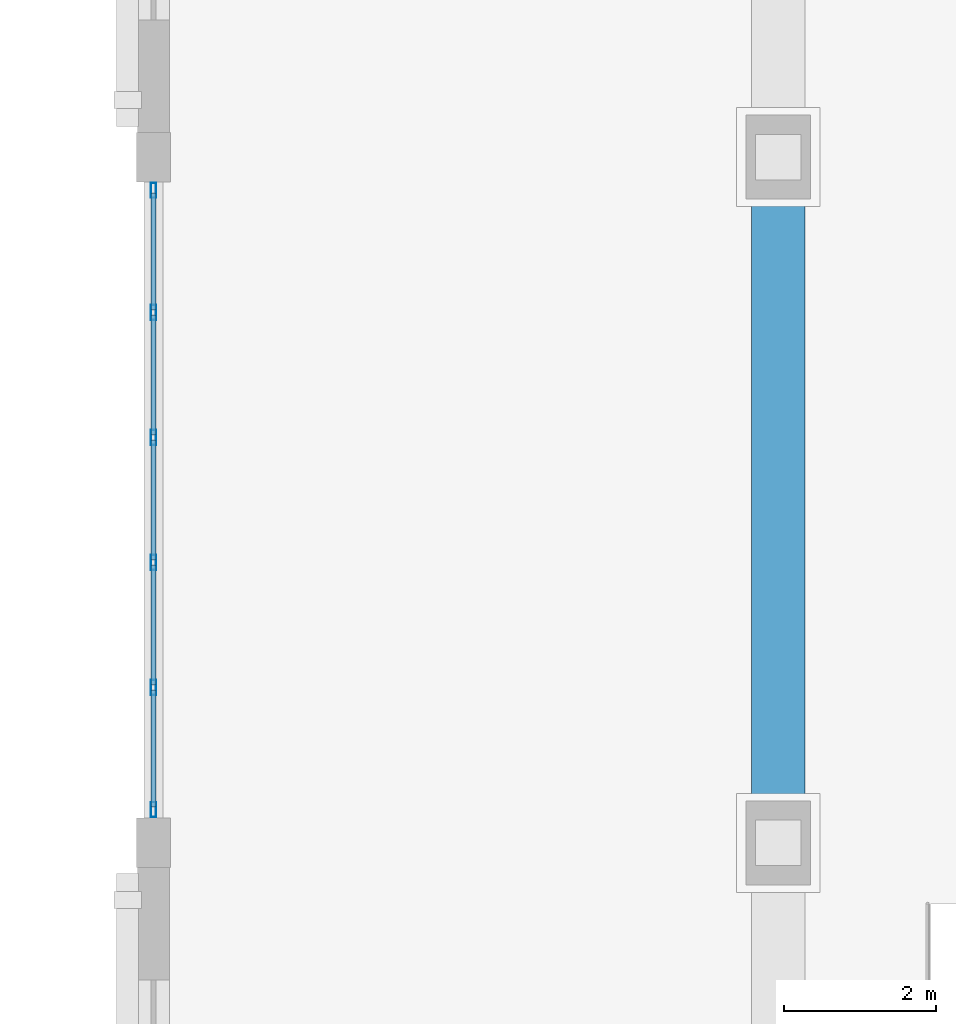
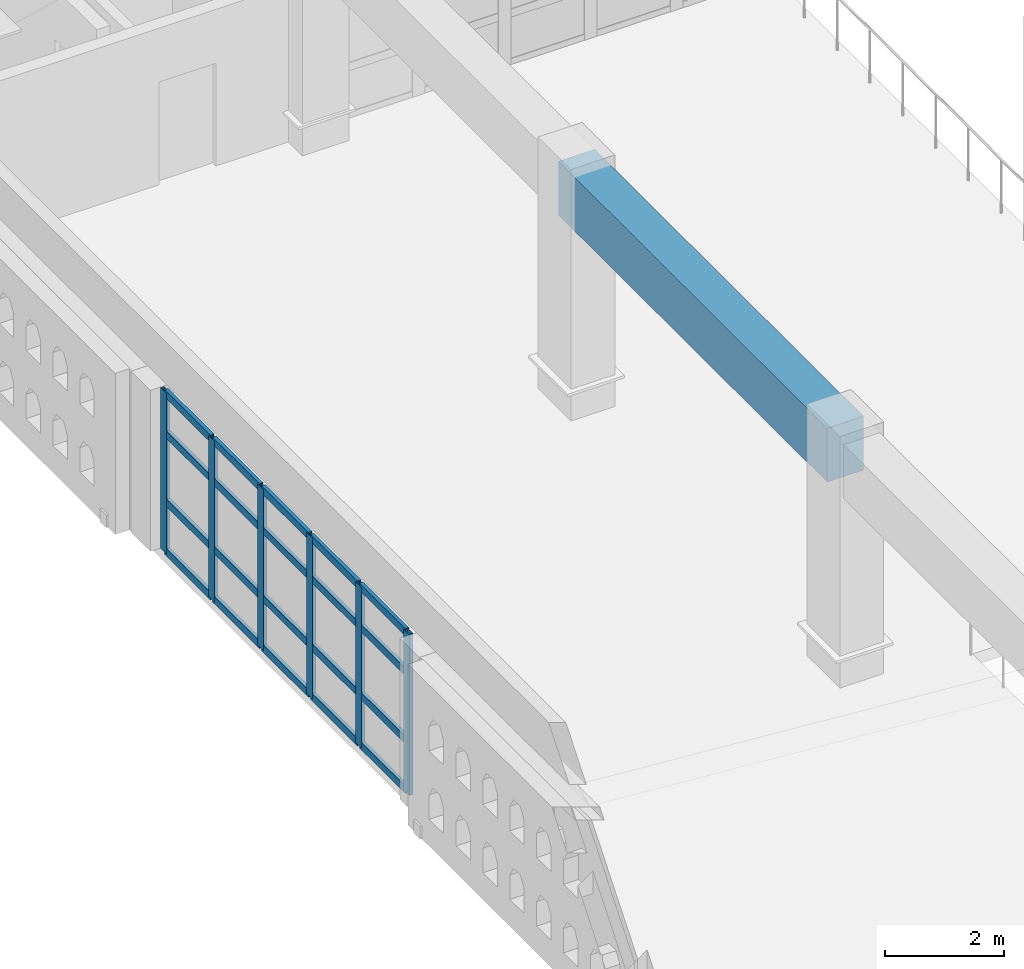
# One storey, part 25 of 80: 26 members, 1 beam, 1 element without a shape of its own.
"""IFC4 building model written with IfcOpenShell, lengths in metres."""

from ifc_helpers import new_model, si_unit, direction, frame, origin, origin_2d, place, context, subcontext, project, spatial, rectangle, hollow_rectangle, extrude, material, layer, layer_set, material_profile, profile_set, type_object, element, aggregate, save


model = new_model("IFC4")

# Units and contexts
model_context = context("Model", 3, precision=1e-05, world=origin(), true_north=direction((0.0, 1.0)))
body_context = subcontext(model_context, "Body", "Model", "MODEL_VIEW")
ifc_project = project(units=[si_unit("LENGTHUNIT", "METRE"), si_unit("AREAUNIT", "SQUARE_METRE"), si_unit("VOLUMEUNIT", "CUBIC_METRE"), si_unit("PLANEANGLEUNIT", "RADIAN"), si_unit("MASSUNIT", "GRAM", prefix="KILO")], contexts=[model_context])

# Site, building, storey
site_placement = place(None, origin())
site = spatial("IfcSite", under=ifc_project, at=site_placement, CompositionType="ELEMENT")
building_placement = place(site_placement, origin())
building = spatial("IfcBuilding", under=site, at=building_placement, Name="Ornek Quay Market", CompositionType="ELEMENT")
storey_placement = place(building_placement, frame((0.0, 0.0, 8.39990234375)))
storey = spatial("IfcBuildingStorey", under=building, at=storey_placement, Name="L02", CompositionType="ELEMENT", Elevation=8.39990234375)

# Beam
ifc_material_1 = material(Name="Concrete C45/55", Category="concrete")
ifc_material_profile_1 = material_profile(ifc_material_1, rectangle(XDim=0.699951171875, YDim=1.10009765625, at=origin_2d()), Name="RC 700x1100", Category="concrete")
ifc_profile_set_1 = profile_set([ifc_material_profile_1], Name="Concrete C45/55")
beam_type = type_object("IfcBeamType", Name="BM-ARCH-TIE-700x1100", PredefinedType="BEAM", material=ifc_profile_set_1)
beam_placement = place(storey_placement, frame((63.0, 74.0, 4.400146484375), z_axis=(0.0, 1.0, 0.0), x_axis=(-1.0, 0.0, 0.0)))
element("IfcBeam", 1, at=beam_placement, inside=storey, type_object=beam_type, Name="Arch springing edge tie beam J-W", PredefinedType="BEAM", context=body_context, shape_type="SweptSolid", body=[
    extrude(rectangle(XDim=0.699951171875, YDim=1.10009765625, at=origin_2d()), origin(), (0.0, 0.0, 1.0), 9.0),
])

# Curtain wall, members
ifc_material_2 = material(Name="Anodised bronze aluminium and triple low-e glass", Category="aluminium")
ifc_layer = layer(ifc_material_2, 0.239990234375, Name="Anodised bronze aluminium and triple low-e glass", Category="aluminium")
ifc_layer_set = layer_set([ifc_layer], Name="Anodised bronze aluminium and triple low-e glass")
curtain_wall_type = type_object("IfcCurtainWallType", Name="CW-GAB-MOD1800", PredefinedType="USERDEFINED", material=ifc_layer_set)
curtain_wall_placement = place(storey_placement, origin())
curtain_wall = element("IfcCurtainWall", 2, at=curtain_wall_placement, inside=storey, type_object=curtain_wall_type, Name="Curtain wall CW-059", ObjectType="CURTAIN WALL", PredefinedType="USERDEFINED")
ifc_material_3 = material(Name="Anodised aluminium 6063-T6", Category="aluminium")
ifc_material_profile_2 = material_profile(ifc_material_3, hollow_rectangle(XDim=0.070068359375, YDim=0.199951171875, WallThickness=0.0048828125, at=origin_2d()), Name="CW-MUL-70x200", Category="aluminium")
ifc_profile_set_2 = profile_set([ifc_material_profile_2], Name="Anodised aluminium 6063-T6")
member_type_1 = type_object("IfcMemberType", Name="CW-MUL-70x200", PredefinedType="MULLION", material=ifc_profile_set_2)
member_1_placement = place(storey_placement, frame((54.800048828125, 74.43505859375, 0.0), z_axis=(0.0, 0.0, 1.0), x_axis=(-1.0, 0.0, 0.0)))
member_1 = element("IfcMember", 3, at=member_1_placement, type_object=member_type_1, Name="CW-059 mullion 1", PredefinedType="MULLION", context=body_context, shape_type="SweptSolid", body=[
    extrude(hollow_rectangle(XDim=0.070068359375, YDim=0.199951171875, WallThickness=0.0048828125, at=origin_2d()), origin(), (0.0, 0.0, 1.0), 3.2900390625),
])
member_2_placement = place(storey_placement, frame((54.800048828125, 76.0400390625, 0.0), z_axis=(0.0, 0.0, 1.0), x_axis=(-1.0, 0.0, 0.0)))
member_2 = element("IfcMember", 4, at=member_2_placement, type_object=member_type_1, Name="CW-059 mullion 2", PredefinedType="MULLION", context=body_context, shape_type="SweptSolid", body=[
    extrude(hollow_rectangle(XDim=0.070068359375, YDim=0.199951171875, WallThickness=0.0048828125, at=origin_2d()), origin(), (0.0, 0.0, 1.0), 3.2900390625),
])
member_3_placement = place(storey_placement, frame((54.800048828125, 77.679931640625, 0.0), z_axis=(0.0, 0.0, 1.0), x_axis=(-1.0, 0.0, 0.0)))
member_3 = element("IfcMember", 5, at=member_3_placement, type_object=member_type_1, Name="CW-059 mullion 3", PredefinedType="MULLION", context=body_context, shape_type="SweptSolid", body=[
    extrude(hollow_rectangle(XDim=0.070068359375, YDim=0.199951171875, WallThickness=0.0048828125, at=origin_2d()), origin(), (0.0, 0.0, 1.0), 3.2900390625),
])
member_4_placement = place(storey_placement, frame((54.800048828125, 79.320068359375, 0.0), z_axis=(0.0, 0.0, 1.0), x_axis=(-1.0, 0.0, 0.0)))
member_4 = element("IfcMember", 6, at=member_4_placement, type_object=member_type_1, Name="CW-059 mullion 4", PredefinedType="MULLION", context=body_context, shape_type="SweptSolid", body=[
    extrude(hollow_rectangle(XDim=0.070068359375, YDim=0.199951171875, WallThickness=0.0048828125, at=origin_2d()), origin(), (0.0, 0.0, 1.0), 3.2900390625),
])
member_5_placement = place(storey_placement, frame((54.800048828125, 80.9599609375, 0.0), z_axis=(0.0, 0.0, 1.0), x_axis=(-1.0, 0.0, 0.0)))
member_5 = element("IfcMember", 7, at=member_5_placement, type_object=member_type_1, Name="CW-059 mullion 5", PredefinedType="MULLION", context=body_context, shape_type="SweptSolid", body=[
    extrude(hollow_rectangle(XDim=0.070068359375, YDim=0.199951171875, WallThickness=0.0048828125, at=origin_2d()), origin(), (0.0, 0.0, 1.0), 3.2900390625),
])
member_6_placement = place(storey_placement, frame((54.800048828125, 82.56494140625, 0.0), z_axis=(0.0, 0.0, 1.0), x_axis=(-1.0, 0.0, 0.0)))
member_6 = element("IfcMember", 8, at=member_6_placement, type_object=member_type_1, Name="CW-059 mullion 6", PredefinedType="MULLION", context=body_context, shape_type="SweptSolid", body=[
    extrude(hollow_rectangle(XDim=0.070068359375, YDim=0.199951171875, WallThickness=0.0048828125, at=origin_2d()), origin(), (0.0, 0.0, 1.0), 3.2900390625),
])
ifc_material_profile_3 = material_profile(ifc_material_3, hollow_rectangle(XDim=0.070068359375, YDim=0.14990234375, WallThickness=0.0048828125, at=origin_2d()), Name="CW-TRN-70x150", Category="aluminium")
ifc_profile_set_3 = profile_set([ifc_material_profile_3], Name="Anodised aluminium 6063-T6")
member_type_2 = type_object("IfcMemberType", Name="CW-TRN-70x150", PredefinedType="USERDEFINED", material=ifc_profile_set_3)
member_7_placement = place(storey_placement, frame((54.800048828125, 74.469970703125, 0.03515625), z_axis=(0.0, 1.0, 0.0), x_axis=(-1.0, 0.0, 0.0)))
member_7 = element("IfcMember", 9, at=member_7_placement, type_object=member_type_2, Name="CW-059 transom 1.1", ObjectType="TRANSOM", PredefinedType="USERDEFINED", context=body_context, shape_type="SweptSolid", body=[
    extrude(hollow_rectangle(XDim=0.070068359375, YDim=0.14990234375, WallThickness=0.0048828125, at=origin_2d()), origin(), (0.0, 0.0, 1.0), 1.534912109375),
])
member_8_placement = place(storey_placement, frame((54.800048828125, 74.469970703125, 1.050048828125), z_axis=(0.0, 1.0, 0.0), x_axis=(-1.0, 0.0, 0.0)))
member_8 = element("IfcMember", 10, at=member_8_placement, type_object=member_type_2, Name="CW-059 transom 1.2", ObjectType="TRANSOM", PredefinedType="USERDEFINED", context=body_context, shape_type="SweptSolid", body=[
    extrude(hollow_rectangle(XDim=0.070068359375, YDim=0.14990234375, WallThickness=0.0048828125, at=origin_2d()), origin(), (0.0, 0.0, 1.0), 1.534912109375),
])
member_9_placement = place(storey_placement, frame((54.800048828125, 74.469970703125, 2.440185546875), z_axis=(0.0, 1.0, 0.0), x_axis=(-1.0, 0.0, 0.0)))
member_9 = element("IfcMember", 11, at=member_9_placement, type_object=member_type_2, Name="CW-059 transom 1.3", ObjectType="TRANSOM", PredefinedType="USERDEFINED", context=body_context, shape_type="SweptSolid", body=[
    extrude(hollow_rectangle(XDim=0.070068359375, YDim=0.14990234375, WallThickness=0.0048828125, at=origin_2d()), origin(), (0.0, 0.0, 1.0), 1.534912109375),
])
member_10_placement = place(storey_placement, frame((54.800048828125, 74.469970703125, 3.255126953125), z_axis=(0.0, 1.0, 0.0), x_axis=(-1.0, 0.0, 0.0)))
member_10 = element("IfcMember", 12, at=member_10_placement, type_object=member_type_2, Name="CW-059 transom 1.4", ObjectType="TRANSOM", PredefinedType="USERDEFINED", context=body_context, shape_type="SweptSolid", body=[
    extrude(hollow_rectangle(XDim=0.070068359375, YDim=0.14990234375, WallThickness=0.0048828125, at=origin_2d()), origin(), (0.0, 0.0, 1.0), 1.534912109375),
])
member_11_placement = place(storey_placement, frame((54.800048828125, 76.074951171875, 0.03515625), z_axis=(0.0, 1.0, 0.0), x_axis=(-1.0, 0.0, 0.0)))
member_11 = element("IfcMember", 13, at=member_11_placement, type_object=member_type_2, Name="CW-059 transom 2.1", ObjectType="TRANSOM", PredefinedType="USERDEFINED", context=body_context, shape_type="SweptSolid", body=[
    extrude(hollow_rectangle(XDim=0.070068359375, YDim=0.14990234375, WallThickness=0.0048828125, at=origin_2d()), origin(), (0.0, 0.0, 1.0), 1.570068359375),
])
member_12_placement = place(storey_placement, frame((54.800048828125, 76.074951171875, 1.050048828125), z_axis=(0.0, 1.0, 0.0), x_axis=(-1.0, 0.0, 0.0)))
member_12 = element("IfcMember", 14, at=member_12_placement, type_object=member_type_2, Name="CW-059 transom 2.2", ObjectType="TRANSOM", PredefinedType="USERDEFINED", context=body_context, shape_type="SweptSolid", body=[
    extrude(hollow_rectangle(XDim=0.070068359375, YDim=0.14990234375, WallThickness=0.0048828125, at=origin_2d()), origin(), (0.0, 0.0, 1.0), 1.570068359375),
])
member_13_placement = place(storey_placement, frame((54.800048828125, 76.074951171875, 2.440185546875), z_axis=(0.0, 1.0, 0.0), x_axis=(-1.0, 0.0, 0.0)))
member_13 = element("IfcMember", 15, at=member_13_placement, type_object=member_type_2, Name="CW-059 transom 2.3", ObjectType="TRANSOM", PredefinedType="USERDEFINED", context=body_context, shape_type="SweptSolid", body=[
    extrude(hollow_rectangle(XDim=0.070068359375, YDim=0.14990234375, WallThickness=0.0048828125, at=origin_2d()), origin(), (0.0, 0.0, 1.0), 1.570068359375),
])
member_14_placement = place(storey_placement, frame((54.800048828125, 76.074951171875, 3.255126953125), z_axis=(0.0, 1.0, 0.0), x_axis=(-1.0, 0.0, 0.0)))
member_14 = element("IfcMember", 16, at=member_14_placement, type_object=member_type_2, Name="CW-059 transom 2.4", ObjectType="TRANSOM", PredefinedType="USERDEFINED", context=body_context, shape_type="SweptSolid", body=[
    extrude(hollow_rectangle(XDim=0.070068359375, YDim=0.14990234375, WallThickness=0.0048828125, at=origin_2d()), origin(), (0.0, 0.0, 1.0), 1.570068359375),
])
member_15_placement = place(storey_placement, frame((54.800048828125, 77.715087890625, 0.03515625), z_axis=(0.0, 1.0, 0.0), x_axis=(-1.0, 0.0, 0.0)))
member_15 = element("IfcMember", 17, at=member_15_placement, type_object=member_type_2, Name="CW-059 transom 3.1", ObjectType="TRANSOM", PredefinedType="USERDEFINED", context=body_context, shape_type="SweptSolid", body=[
    extrude(hollow_rectangle(XDim=0.070068359375, YDim=0.14990234375, WallThickness=0.0048828125, at=origin_2d()), origin(), (0.0, 0.0, 1.0), 1.56982421875),
])
member_16_placement = place(storey_placement, frame((54.800048828125, 77.715087890625, 1.050048828125), z_axis=(0.0, 1.0, 0.0), x_axis=(-1.0, 0.0, 0.0)))
member_16 = element("IfcMember", 18, at=member_16_placement, type_object=member_type_2, Name="CW-059 transom 3.2", ObjectType="TRANSOM", PredefinedType="USERDEFINED", context=body_context, shape_type="SweptSolid", body=[
    extrude(hollow_rectangle(XDim=0.070068359375, YDim=0.14990234375, WallThickness=0.0048828125, at=origin_2d()), origin(), (0.0, 0.0, 1.0), 1.56982421875),
])
member_17_placement = place(storey_placement, frame((54.800048828125, 77.715087890625, 2.440185546875), z_axis=(0.0, 1.0, 0.0), x_axis=(-1.0, 0.0, 0.0)))
member_17 = element("IfcMember", 19, at=member_17_placement, type_object=member_type_2, Name="CW-059 transom 3.3", ObjectType="TRANSOM", PredefinedType="USERDEFINED", context=body_context, shape_type="SweptSolid", body=[
    extrude(hollow_rectangle(XDim=0.070068359375, YDim=0.14990234375, WallThickness=0.0048828125, at=origin_2d()), origin(), (0.0, 0.0, 1.0), 1.56982421875),
])
member_18_placement = place(storey_placement, frame((54.800048828125, 77.715087890625, 3.255126953125), z_axis=(0.0, 1.0, 0.0), x_axis=(-1.0, 0.0, 0.0)))
member_18 = element("IfcMember", 20, at=member_18_placement, type_object=member_type_2, Name="CW-059 transom 3.4", ObjectType="TRANSOM", PredefinedType="USERDEFINED", context=body_context, shape_type="SweptSolid", body=[
    extrude(hollow_rectangle(XDim=0.070068359375, YDim=0.14990234375, WallThickness=0.0048828125, at=origin_2d()), origin(), (0.0, 0.0, 1.0), 1.56982421875),
])
member_19_placement = place(storey_placement, frame((54.800048828125, 79.35498046875, 0.03515625), z_axis=(0.0, 1.0, 0.0), x_axis=(-1.0, 0.0, 0.0)))
member_19 = element("IfcMember", 21, at=member_19_placement, type_object=member_type_2, Name="CW-059 transom 4.1", ObjectType="TRANSOM", PredefinedType="USERDEFINED", context=body_context, shape_type="SweptSolid", body=[
    extrude(hollow_rectangle(XDim=0.070068359375, YDim=0.14990234375, WallThickness=0.0048828125, at=origin_2d()), origin(), (0.0, 0.0, 1.0), 1.570068359375),
])
member_20_placement = place(storey_placement, frame((54.800048828125, 79.35498046875, 1.050048828125), z_axis=(0.0, 1.0, 0.0), x_axis=(-1.0, 0.0, 0.0)))
member_20 = element("IfcMember", 22, at=member_20_placement, type_object=member_type_2, Name="CW-059 transom 4.2", ObjectType="TRANSOM", PredefinedType="USERDEFINED", context=body_context, shape_type="SweptSolid", body=[
    extrude(hollow_rectangle(XDim=0.070068359375, YDim=0.14990234375, WallThickness=0.0048828125, at=origin_2d()), origin(), (0.0, 0.0, 1.0), 1.570068359375),
])
member_21_placement = place(storey_placement, frame((54.800048828125, 79.35498046875, 2.440185546875), z_axis=(0.0, 1.0, 0.0), x_axis=(-1.0, 0.0, 0.0)))
member_21 = element("IfcMember", 23, at=member_21_placement, type_object=member_type_2, Name="CW-059 transom 4.3", ObjectType="TRANSOM", PredefinedType="USERDEFINED", context=body_context, shape_type="SweptSolid", body=[
    extrude(hollow_rectangle(XDim=0.070068359375, YDim=0.14990234375, WallThickness=0.0048828125, at=origin_2d()), origin(), (0.0, 0.0, 1.0), 1.570068359375),
])
member_22_placement = place(storey_placement, frame((54.800048828125, 79.35498046875, 3.255126953125), z_axis=(0.0, 1.0, 0.0), x_axis=(-1.0, 0.0, 0.0)))
member_22 = element("IfcMember", 24, at=member_22_placement, type_object=member_type_2, Name="CW-059 transom 4.4", ObjectType="TRANSOM", PredefinedType="USERDEFINED", context=body_context, shape_type="SweptSolid", body=[
    extrude(hollow_rectangle(XDim=0.070068359375, YDim=0.14990234375, WallThickness=0.0048828125, at=origin_2d()), origin(), (0.0, 0.0, 1.0), 1.570068359375),
])
member_23_placement = place(storey_placement, frame((54.800048828125, 80.9951171875, 0.03515625), z_axis=(0.0, 1.0, 0.0), x_axis=(-1.0, 0.0, 0.0)))
member_23 = element("IfcMember", 25, at=member_23_placement, type_object=member_type_2, Name="CW-059 transom 5.1", ObjectType="TRANSOM", PredefinedType="USERDEFINED", context=body_context, shape_type="SweptSolid", body=[
    extrude(hollow_rectangle(XDim=0.070068359375, YDim=0.14990234375, WallThickness=0.0048828125, at=origin_2d()), origin(), (0.0, 0.0, 1.0), 1.534912109375),
])
member_24_placement = place(storey_placement, frame((54.800048828125, 80.9951171875, 1.050048828125), z_axis=(0.0, 1.0, 0.0), x_axis=(-1.0, 0.0, 0.0)))
member_24 = element("IfcMember", 26, at=member_24_placement, type_object=member_type_2, Name="CW-059 transom 5.2", ObjectType="TRANSOM", PredefinedType="USERDEFINED", context=body_context, shape_type="SweptSolid", body=[
    extrude(hollow_rectangle(XDim=0.070068359375, YDim=0.14990234375, WallThickness=0.0048828125, at=origin_2d()), origin(), (0.0, 0.0, 1.0), 1.534912109375),
])
member_25_placement = place(storey_placement, frame((54.800048828125, 80.9951171875, 2.440185546875), z_axis=(0.0, 1.0, 0.0), x_axis=(-1.0, 0.0, 0.0)))
member_25 = element("IfcMember", 27, at=member_25_placement, type_object=member_type_2, Name="CW-059 transom 5.3", ObjectType="TRANSOM", PredefinedType="USERDEFINED", context=body_context, shape_type="SweptSolid", body=[
    extrude(hollow_rectangle(XDim=0.070068359375, YDim=0.14990234375, WallThickness=0.0048828125, at=origin_2d()), origin(), (0.0, 0.0, 1.0), 1.534912109375),
])
member_26_placement = place(storey_placement, frame((54.800048828125, 80.9951171875, 3.255126953125), z_axis=(0.0, 1.0, 0.0), x_axis=(-1.0, 0.0, 0.0)))
member_26 = element("IfcMember", 28, at=member_26_placement, type_object=member_type_2, Name="CW-059 transom 5.4", ObjectType="TRANSOM", PredefinedType="USERDEFINED", context=body_context, shape_type="SweptSolid", body=[
    extrude(hollow_rectangle(XDim=0.070068359375, YDim=0.14990234375, WallThickness=0.0048828125, at=origin_2d()), origin(), (0.0, 0.0, 1.0), 1.534912109375),
])
aggregate(curtain_wall, [member_1, member_2, member_3, member_4, member_5, member_6, member_7, member_8, member_9, member_10, member_11, member_12, member_13, member_14, member_15, member_16, member_17, member_18, member_19, member_20, member_21, member_22, member_23, member_24, member_25, member_26])

save(model, "model.ifc")
